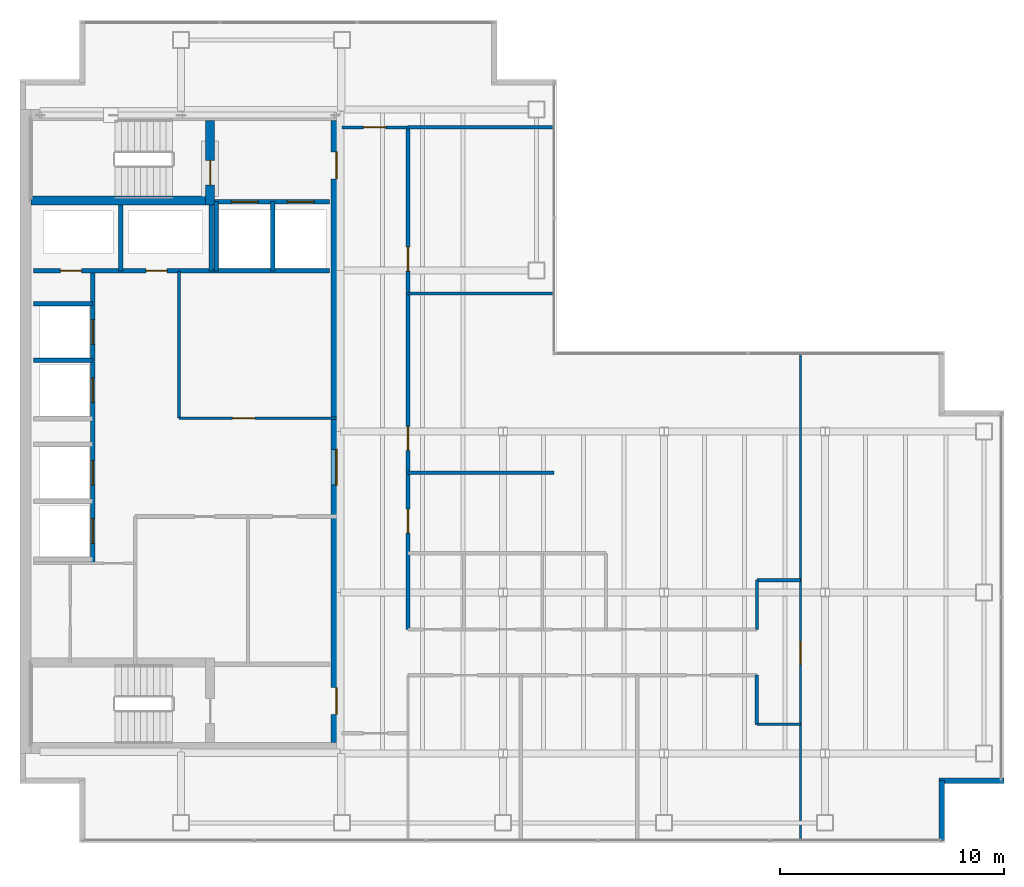
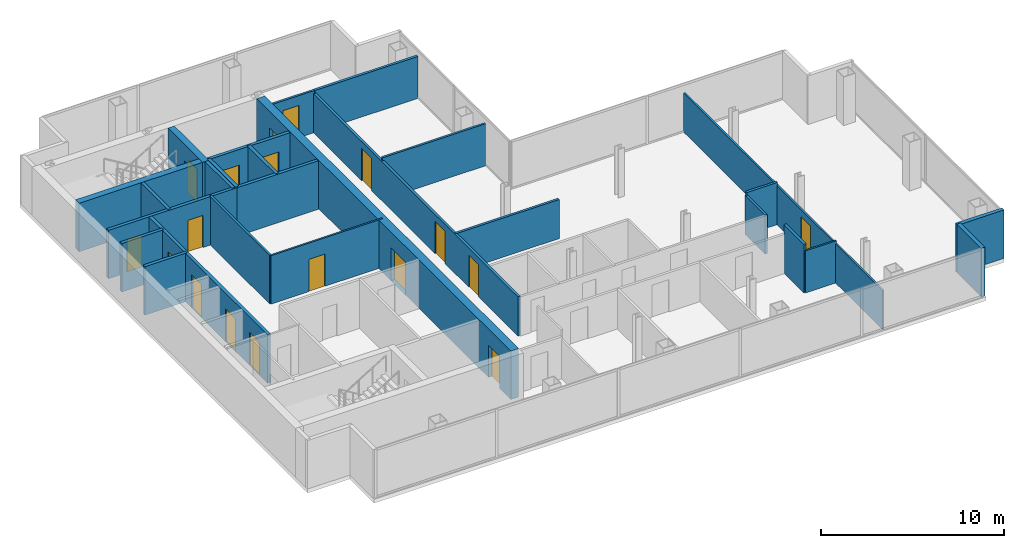
# One storey, part 21 of 23: 27 walls, 18 doors, 18 openings.
"""IFC4 building model written with IfcOpenShell, lengths in metres."""

from ifc_helpers import new_model, si_unit, direction, frame, frame_2d, origin, place, context, subcontext, project, spatial, rectangle, extrude, material, layer, layer_set, type_object, element, fill, save


model = new_model("IFC4")

# Units and contexts
model_context = context("Model", 3, precision=1e-05, world=origin(), true_north=direction((0.0, 1.0)))
body_context = subcontext(model_context, "Body", "Model", "MODEL_VIEW")
ifc_project = project(units=[si_unit("LENGTHUNIT", "METRE"), si_unit("AREAUNIT", "SQUARE_METRE"), si_unit("VOLUMEUNIT", "CUBIC_METRE"), si_unit("PLANEANGLEUNIT", "RADIAN"), si_unit("MASSUNIT", "GRAM", prefix="KILO")], contexts=[model_context])

# Site, building, storey
site_placement = place(None, origin())
site = spatial("IfcSite", under=ifc_project, at=site_placement, CompositionType="ELEMENT")
building_placement = place(site_placement, origin())
building = spatial("IfcBuilding", under=site, at=building_placement, Name="Cobrela Telecom Tower", CompositionType="ELEMENT")
storey_placement = place(building_placement, frame((0.0, 0.0, 222.25)))
storey = spatial("IfcBuildingStorey", under=building, at=storey_placement, Name="L57", CompositionType="ELEMENT", Elevation=222.25)

# Wall, openings, doors
ifc_material_1 = material(Name="Concrete C40/50", Category="concrete")
ifc_layer_1 = layer(ifc_material_1, 0.5)
ifc_layer_set_1 = layer_set([ifc_layer_1], Name="Concrete C40/50")
wall_type_1 = type_object("IfcWallType", Name="WALL-CORE-C40-500", PredefinedType="SHEAR", material=ifc_layer_set_1)
wall_1_placement = place(storey_placement, frame((14.14990234375, 35.5, 0.0), z_axis=(0.0, 0.0, 1.0), x_axis=(0.0, -1.0, 0.0)))
wall_1 = element("IfcWall", 1, at=wall_1_placement, inside=storey, type_object=wall_type_1, Name="L57 East Core Shear Wall", PredefinedType="SHEAR", context=body_context, shape_type="SweptSolid", body=[
    extrude(rectangle(XDim=27.800048828125, YDim=0.5, at=frame_2d((13.89990234375, 0.0))), origin(), (0.0, 0.0, 1.0), 3.239990234375),
])
opening_1_placement = place(wall_1_placement, frame((1.39990234375, 0.0, 0.0)))
opening_1 = element("IfcOpeningElement", 2, at=opening_1_placement, cuts=wall_1, Name="Opening DR-19", PredefinedType="OPENING", context=body_context, shape_type="SweptSolid", body=[
    extrude(rectangle(XDim=1.199951171875, YDim=2.14990234375, at=frame_2d((0.60009765625, 1.074951171875))), frame((0.0, 0.261962890625, 0.0), z_axis=(0.0, -1.0, 0.0), x_axis=(1.0, 0.0, 0.0)), (0.0, 0.0, 1.0), 0.52392578125),
])
opening_2_placement = place(wall_1_placement, frame((25.35009765625, 0.0, 0.0)))
opening_2 = element("IfcOpeningElement", 3, at=opening_2_placement, cuts=wall_1, Name="Opening DR-19", PredefinedType="OPENING", context=body_context, shape_type="SweptSolid", body=[
    extrude(rectangle(XDim=1.199951171875, YDim=2.14990234375, at=frame_2d((0.60009765625, 1.074951171875))), frame((0.0, 0.261962890625, 0.0), z_axis=(0.0, -1.0, 0.0), x_axis=(1.0, 0.0, 0.0)), (0.0, 0.0, 1.0), 0.52392578125),
])
opening_3_placement = place(wall_1_placement, frame((14.699951171875, 0.0, 0.0)))
opening_3 = element("IfcOpeningElement", 4, at=opening_3_placement, cuts=wall_1, Name="Opening DR-51", PredefinedType="OPENING", context=body_context, shape_type="SweptSolid", body=[
    extrude(rectangle(XDim=1.60009765625, YDim=2.199951171875, at=frame_2d((0.800048828125, 1.10009765625))), frame((0.0, 0.261962890625, 0.0), z_axis=(0.0, -1.0, 0.0), x_axis=(1.0, 0.0, 0.0)), (0.0, 0.0, 1.0), 0.52392578125),
])
ifc_material_2 = material(Name="Steel ASTM A36", Category="steel")
door_type_1 = type_object("IfcDoorType", Name="DOOR-FD60-1200", OperationType="SINGLE_SWING_LEFT", PredefinedType="DOOR", material=ifc_material_2)
door_1_placement = place(opening_1_placement, origin())
door_1 = element("IfcDoor", 5, at=door_1_placement, inside=storey, type_object=door_type_1, Name="L57 Door DR-19", OperationType="SINGLE_SWING_LEFT", OverallHeight=2.14990234375, OverallWidth=1.199951171875, PredefinedType="DOOR", context=body_context, shape_type="SweptSolid", body=[
    extrude(rectangle(XDim=1.199951171875, YDim=2.14990234375, at=frame_2d((0.60009765625, 1.074951171875))), frame((0.0, 0.02490234375, 0.0), z_axis=(0.0, -1.0, 0.0), x_axis=(1.0, 0.0, 0.0)), (0.0, 0.0, 1.0), 0.050048828125),
])
fill(opening_1, door_1)
door_2_placement = place(opening_2_placement, origin())
door_2 = element("IfcDoor", 6, at=door_2_placement, inside=storey, type_object=door_type_1, Name="L57 Door DR-19", OperationType="SINGLE_SWING_RIGHT", OverallHeight=2.14990234375, OverallWidth=1.199951171875, PredefinedType="DOOR", context=body_context, shape_type="SweptSolid", body=[
    extrude(rectangle(XDim=1.199951171875, YDim=2.14990234375, at=frame_2d((0.60009765625, 1.074951171875))), frame((0.0, 0.02490234375, 0.0), z_axis=(0.0, -1.0, 0.0), x_axis=(1.0, 0.0, 0.0)), (0.0, 0.0, 1.0), 0.050048828125),
])
fill(opening_2, door_2)
door_type_2 = type_object("IfcDoorType", Name="DOOR-FD60-1600", OperationType="SINGLE_SWING_LEFT", PredefinedType="DOOR", material=ifc_material_2)
door_3_placement = place(opening_3_placement, origin())
door_3 = element("IfcDoor", 7, at=door_3_placement, inside=storey, type_object=door_type_2, Name="L57 Door DR-51", OperationType="DOUBLE_DOOR_SINGLE_SWING", OverallHeight=2.199951171875, OverallWidth=1.60009765625, PredefinedType="DOOR", context=body_context, shape_type="SweptSolid", body=[
    extrude(rectangle(XDim=1.60009765625, YDim=2.199951171875, at=frame_2d((0.800048828125, 1.10009765625))), frame((0.0, 0.02490234375, 0.0), z_axis=(0.0, -1.0, 0.0), x_axis=(1.0, 0.0, 0.0)), (0.0, 0.0, 1.0), 0.050048828125),
])
fill(opening_3, door_3)

# Walls
ifc_layer_2 = layer(ifc_material_1, 0.239990234375)
ifc_layer_set_2 = layer_set([ifc_layer_2], Name="Concrete C40/50")
wall_type_2 = type_object("IfcWallType", Name="WALL-EXT-300", PredefinedType="STANDARD", material=ifc_layer_set_2)
wall_2_placement = place(storey_placement, frame((44.0, 5.989990234375, 0.0), z_axis=(0.0, 0.0, 1.0), x_axis=(-1.0, 0.0, 0.0)))
element("IfcWall", 8, at=wall_2_placement, inside=storey, type_object=wall_type_2, Name="L57 Insulated Facade Wall 15", PredefinedType="STANDARD", context=body_context, shape_type="SweptSolid", body=[
    extrude(rectangle(XDim=2.909912109375, YDim=0.239990234375, at=frame_2d((1.455078125, 0.0))), origin(), (0.0, 0.0, 1.0), 3.239990234375),
])
wall_3_placement = place(storey_placement, frame((41.2099609375, 5.989990234375, 0.0), z_axis=(0.0, 0.0, 1.0), x_axis=(0.0, -1.0, 0.0)))
element("IfcWall", 9, at=wall_3_placement, inside=storey, type_object=wall_type_2, Name="L57 Insulated Facade Wall 16", PredefinedType="STANDARD", context=body_context, shape_type="SweptSolid", body=[
    extrude(rectangle(XDim=2.669921875, YDim=0.239990234375, at=frame_2d((1.3349609375, 0.0))), origin(), (0.0, 0.0, 1.0), 3.239990234375),
])

# Wall, opening, door
ifc_material_3 = material(Name="Fire-Rated Gypsum Plasterboard")
ifc_layer_3 = layer(ifc_material_3, 0.110107421875)
ifc_layer_set_3 = layer_set([ifc_layer_3], Name="Fire-Rated Gypsum Plasterboard")
wall_type_3 = type_object("IfcWallType", Name="WALL-PART-110", PredefinedType="PARTITIONING", material=ifc_layer_set_3)
wall_4_placement = place(storey_placement, frame((7.10009765625, 22.199951171875, 0.0), z_axis=(0.0, 0.0, 1.0), x_axis=(1.0, 0.0, 0.0)))
wall_4 = element("IfcWall", 10, at=wall_4_placement, inside=storey, type_object=wall_type_3, Name="L57 Interior Partition CW-RECL-S", PredefinedType="PARTITIONING", context=body_context, shape_type="SweptSolid", body=[
    extrude(rectangle(XDim=7.0498046875, YDim=0.110107421875, at=frame_2d((3.52490234375, 0.0))), origin(), (0.0, 0.0, 1.0), 3.239990234375),
])
opening_4_placement = place(wall_4_placement, frame((2.39990234375, 0.0, 0.0)))
opening_4 = element("IfcOpeningElement", 11, at=opening_4_placement, cuts=wall_4, Name="Opening DR-31", PredefinedType="OPENING", context=body_context, shape_type="SweptSolid", body=[
    extrude(rectangle(XDim=1.0, YDim=2.14990234375, at=frame_2d((0.5, 1.074951171875))), frame((0.0, 0.06689453125, 0.0), z_axis=(0.0, -1.0, 0.0), x_axis=(1.0, 0.0, 0.0)), (0.0, 0.0, 1.0), 0.134033203125),
])
ifc_material_4 = material(Name="Solid Engineered Oak Timber", Category="wood")
door_type_3 = type_object("IfcDoorType", Name="DOOR-INT-1000", OperationType="SINGLE_SWING_LEFT", PredefinedType="DOOR", material=ifc_material_4)
door_4_placement = place(opening_4_placement, origin())
door_4 = element("IfcDoor", 12, at=door_4_placement, inside=storey, type_object=door_type_3, Name="L57 Door DR-31", OperationType="SINGLE_SWING_LEFT", OverallHeight=2.14990234375, OverallWidth=1.0, PredefinedType="DOOR", context=body_context, shape_type="SweptSolid", body=[
    extrude(rectangle(XDim=1.0, YDim=2.14990234375, at=frame_2d((0.5, 1.074951171875))), frame((0.0, 0.02490234375, 0.0), z_axis=(0.0, -1.0, 0.0), x_axis=(1.0, 0.0, 0.0)), (0.0, 0.0, 1.0), 0.050048828125),
])
fill(opening_4, door_4)

# Wall
wall_5_placement = place(storey_placement, frame((32.949951171875, 8.5, 0.0), z_axis=(0.0, 0.0, 1.0), x_axis=(1.0, 0.0, 0.0)))
element("IfcWall", 13, at=wall_5_placement, inside=storey, type_object=wall_type_3, Name="L57 Interior Partition W-CT-S", PredefinedType="PARTITIONING", context=body_context, shape_type="SweptSolid", body=[
    extrude(rectangle(XDim=1.949951171875, YDim=0.110107421875, at=frame_2d((0.97509765625, 0.0))), origin(), (0.0, 0.0, 1.0), 2.80810546875),
])

# Wall, opening, door
wall_6_placement = place(storey_placement, frame((34.89990234375, 3.320068359375, 0.0), z_axis=(0.0, 0.0, 1.0), x_axis=(0.0, 1.0, 0.0)))
wall_6 = element("IfcWall", 14, at=wall_6_placement, inside=storey, type_object=wall_type_3, Name="L57 Interior Partition W-C-END", PredefinedType="PARTITIONING", context=body_context, shape_type="SweptSolid", body=[
    extrude(rectangle(XDim=21.760009765625, YDim=0.110107421875, at=frame_2d((10.8798828125, 0.0))), origin(), (0.0, 0.0, 1.0), 2.613037109375),
])
opening_5_placement = place(wall_6_placement, frame((7.8798828125, 0.0, 0.0)))
opening_5 = element("IfcOpeningElement", 15, at=opening_5_placement, cuts=wall_6, Name="Opening DR-31", PredefinedType="OPENING", context=body_context, shape_type="SweptSolid", body=[
    extrude(rectangle(XDim=1.0, YDim=2.14990234375, at=frame_2d((0.5, 1.074951171875))), frame((0.0, 0.06689453125, 0.0), z_axis=(0.0, -1.0, 0.0), x_axis=(1.0, 0.0, 0.0)), (0.0, 0.0, 1.0), 0.134033203125),
])
door_5_placement = place(opening_5_placement, origin())
door_5 = element("IfcDoor", 16, at=door_5_placement, inside=storey, type_object=door_type_3, Name="L57 Door DR-31", OperationType="SINGLE_SWING_LEFT", OverallHeight=2.14990234375, OverallWidth=1.0, PredefinedType="DOOR", context=body_context, shape_type="SweptSolid", body=[
    extrude(rectangle(XDim=1.0, YDim=2.14990234375, at=frame_2d((0.5, 1.074951171875))), frame((0.0, 0.02490234375, 0.0), z_axis=(0.0, -1.0, 0.0), x_axis=(1.0, 0.0, 0.0)), (0.0, 0.0, 1.0), 0.050048828125),
])
fill(opening_5, door_5)

# Wall
ifc_layer_4 = layer(ifc_material_3, 0.135009765625)
ifc_layer_set_4 = layer_set([ifc_layer_4], Name="Fire-Rated Gypsum Plasterboard")
wall_type_4 = type_object("IfcWallType", Name="WALL-PART-135", PredefinedType="PARTITIONING", material=ifc_layer_set_4)
wall_7_placement = place(storey_placement, frame((7.10009765625, 22.199951171875, 0.0), z_axis=(0.0, 0.0, 1.0), x_axis=(0.0, 1.0, 0.0)))
element("IfcWall", 17, at=wall_7_placement, inside=storey, type_object=wall_type_4, Name="L57 Interior Partition CW-RECL-W", PredefinedType="PARTITIONING", context=body_context, shape_type="SweptSolid", body=[
    extrude(rectangle(XDim=6.580078125, YDim=0.135009765625, at=frame_2d((3.2900390625, 0.0))), origin(), (0.0, 0.0, 1.0), 3.239990234375),
])

# Wall, opening, door
wall_8_placement = place(storey_placement, frame((14.39990234375, 35.199951171875, 0.0), z_axis=(0.0, 0.0, 1.0), x_axis=(1.0, 0.0, 0.0)))
wall_8 = element("IfcWall", 18, at=wall_8_placement, inside=storey, type_object=wall_type_4, Name="L57 Interior Partition W-C-N0", PredefinedType="PARTITIONING", context=body_context, shape_type="SweptSolid", body=[
    extrude(rectangle(XDim=2.9501953125, YDim=0.135009765625, at=frame_2d((1.47509765625, 0.0))), origin(), (0.0, 0.0, 1.0), 2.80810546875),
])
opening_6_placement = place(wall_8_placement, frame((0.949951171875, 0.0, 0.0)))
opening_6 = element("IfcOpeningElement", 19, at=opening_6_placement, cuts=wall_8, Name="Opening DR-31", PredefinedType="OPENING", context=body_context, shape_type="SweptSolid", body=[
    extrude(rectangle(XDim=1.0, YDim=2.14990234375, at=frame_2d((0.5, 1.074951171875))), frame((0.0, 0.07958984375, 0.0), z_axis=(0.0, -1.0, 0.0), x_axis=(1.0, 0.0, 0.0)), (0.0, 0.0, 1.0), 0.158935546875),
])
door_6_placement = place(opening_6_placement, origin())
door_6 = element("IfcDoor", 20, at=door_6_placement, inside=storey, type_object=door_type_3, Name="L57 Door DR-31", OperationType="SINGLE_SWING_LEFT", OverallHeight=2.14990234375, OverallWidth=1.0, PredefinedType="DOOR", context=body_context, shape_type="SweptSolid", body=[
    extrude(rectangle(XDim=1.0, YDim=2.14990234375, at=frame_2d((0.5, 1.074951171875))), frame((0.0, 0.02490234375, 0.0), z_axis=(0.0, -1.0, 0.0), x_axis=(1.0, 0.0, 0.0)), (0.0, 0.0, 1.0), 0.050048828125),
])
fill(opening_6, door_6)

# Walls
wall_9_placement = place(storey_placement, frame((32.949951171875, 12.75, 0.0), z_axis=(0.0, 0.0, 1.0), x_axis=(0.0, 1.0, 0.0)))
element("IfcWall", 21, at=wall_9_placement, inside=storey, type_object=wall_type_4, Name="L57 Interior Partition W-CT-JW2", PredefinedType="PARTITIONING", context=body_context, shape_type="SweptSolid", body=[
    extrude(rectangle(XDim=2.199951171875, YDim=0.135009765625, at=frame_2d((1.10009765625, 0.0))), origin(), (0.0, 0.0, 1.0), 2.613037109375),
])
wall_10_placement = place(storey_placement, frame((17.35009765625, 27.77001953125, 0.0), z_axis=(0.0, 0.0, 1.0), x_axis=(1.0, 0.0, 0.0)))
element("IfcWall", 22, at=wall_10_placement, inside=storey, type_object=wall_type_4, Name="L57 Interior Partition W-NT-M", PredefinedType="PARTITIONING", context=body_context, shape_type="SweptSolid", body=[
    extrude(rectangle(XDim=6.52978515625, YDim=0.135009765625, at=frame_2d((3.264892578125, 0.0))), origin(), (0.0, 0.0, 1.0), 2.80810546875),
])
ifc_layer_5 = layer(ifc_material_3, 0.14990234375)
ifc_layer_set_5 = layer_set([ifc_layer_5], Name="Fire-Rated Gypsum Plasterboard")
wall_type_5 = type_object("IfcWallType", Name="WALL-PART-150", PredefinedType="PARTITIONING", material=ifc_layer_set_5)
wall_11_placement = place(storey_placement, frame((32.949951171875, 8.5, 0.0), z_axis=(0.0, 0.0, 1.0), x_axis=(0.0, 1.0, 0.0)))
element("IfcWall", 23, at=wall_11_placement, inside=storey, type_object=wall_type_5, Name="L57 Interior Partition W-CT-JW1", PredefinedType="PARTITIONING", context=body_context, shape_type="SweptSolid", body=[
    extrude(rectangle(XDim=2.199951171875, YDim=0.14990234375, at=frame_2d((1.10009765625, 0.0))), origin(), (0.0, 0.0, 1.0), 3.239990234375),
])
wall_12_placement = place(storey_placement, frame((17.35009765625, 19.75, 0.0), z_axis=(0.0, 0.0, 1.0), x_axis=(1.0, 0.0, 0.0)))
element("IfcWall", 24, at=wall_12_placement, inside=storey, type_object=wall_type_5, Name="L57 Interior Partition W-NPAN-T", PredefinedType="PARTITIONING", context=body_context, shape_type="SweptSolid", body=[
    extrude(rectangle(XDim=6.52978515625, YDim=0.14990234375, at=frame_2d((3.264892578125, 0.0))), origin(), (0.0, 0.0, 1.0), 2.613037109375),
])

# Wall, openings, doors
ifc_layer_6 = layer(ifc_material_3, 0.159912109375)
ifc_layer_set_6 = layer_set([ifc_layer_6], Name="Fire-Rated Gypsum Plasterboard")
wall_type_6 = type_object("IfcWallType", Name="WALL-PART-160", PredefinedType="PARTITIONING", material=ifc_layer_set_6)
wall_13_placement = place(storey_placement, frame((17.35009765625, 12.75, 0.0), z_axis=(0.0, 0.0, 1.0), x_axis=(0.0, 1.0, 0.0)))
wall_13 = element("IfcWall", 25, at=wall_13_placement, inside=storey, type_object=wall_type_6, Name="L57 Interior Partition W-C-E2", PredefinedType="PARTITIONING", context=body_context, shape_type="SweptSolid", body=[
    extrude(rectangle(XDim=22.449951171875, YDim=0.159912109375, at=frame_2d((11.22509765625, 0.0))), origin(), (0.0, 0.0, 1.0), 2.613037109375),
])
opening_7_placement = place(wall_13_placement, frame((4.300048828125, 0.0, 0.0)))
opening_7 = element("IfcOpeningElement", 26, at=opening_7_placement, cuts=wall_13, Name="Opening DR-63", PredefinedType="OPENING", context=body_context, shape_type="SweptSolid", body=[
    extrude(rectangle(XDim=1.080078125, YDim=2.14990234375, at=frame_2d((0.5400390625, 1.074951171875))), frame((0.0, 0.091796875, 0.0), z_axis=(0.0, -1.0, 0.0), x_axis=(1.0, 0.0, 0.0)), (0.0, 0.0, 1.0), 0.183837890625),
])
opening_8_placement = place(wall_13_placement, frame((8.0, 0.0, 0.0)))
opening_8 = element("IfcOpeningElement", 27, at=opening_8_placement, cuts=wall_13, Name="Opening DR-63", PredefinedType="OPENING", context=body_context, shape_type="SweptSolid", body=[
    extrude(rectangle(XDim=1.080078125, YDim=2.14990234375, at=frame_2d((0.5400390625, 1.074951171875))), frame((0.0, 0.091796875, 0.0), z_axis=(0.0, -1.0, 0.0), x_axis=(1.0, 0.0, 0.0)), (0.0, 0.0, 1.0), 0.183837890625),
])
opening_9_placement = place(wall_13_placement, frame((16.02001953125, 0.0, 0.0)))
opening_9 = element("IfcOpeningElement", 28, at=opening_9_placement, cuts=wall_13, Name="Opening DR-63", PredefinedType="OPENING", context=body_context, shape_type="SweptSolid", body=[
    extrude(rectangle(XDim=1.080078125, YDim=2.14990234375, at=frame_2d((0.5400390625, 1.074951171875))), frame((0.0, 0.091796875, 0.0), z_axis=(0.0, -1.0, 0.0), x_axis=(1.0, 0.0, 0.0)), (0.0, 0.0, 1.0), 0.183837890625),
])
door_type_4 = type_object("IfcDoorType", Name="DOOR-INT-1080", OperationType="SINGLE_SWING_LEFT", PredefinedType="DOOR", material=ifc_material_4)
door_7_placement = place(opening_7_placement, origin())
door_7 = element("IfcDoor", 29, at=door_7_placement, inside=storey, type_object=door_type_4, Name="L57 Door DR-63", OperationType="SINGLE_SWING_RIGHT", OverallHeight=2.14990234375, OverallWidth=1.080078125, PredefinedType="DOOR", context=body_context, shape_type="SweptSolid", body=[
    extrude(rectangle(XDim=1.080078125, YDim=2.14990234375, at=frame_2d((0.5400390625, 1.074951171875))), frame((0.0, 0.02490234375, 0.0), z_axis=(0.0, -1.0, 0.0), x_axis=(1.0, 0.0, 0.0)), (0.0, 0.0, 1.0), 0.050048828125),
])
fill(opening_7, door_7)
door_8_placement = place(opening_8_placement, origin())
door_8 = element("IfcDoor", 30, at=door_8_placement, inside=storey, type_object=door_type_4, Name="L57 Door DR-63", OperationType="SINGLE_SWING_LEFT", OverallHeight=2.14990234375, OverallWidth=1.080078125, PredefinedType="DOOR", context=body_context, shape_type="SweptSolid", body=[
    extrude(rectangle(XDim=1.080078125, YDim=2.14990234375, at=frame_2d((0.5400390625, 1.074951171875))), frame((0.0, 0.02490234375, 0.0), z_axis=(0.0, -1.0, 0.0), x_axis=(1.0, 0.0, 0.0)), (0.0, 0.0, 1.0), 0.050048828125),
])
fill(opening_8, door_8)
door_9_placement = place(opening_9_placement, origin())
door_9 = element("IfcDoor", 31, at=door_9_placement, inside=storey, type_object=door_type_4, Name="L57 Door DR-63", OperationType="SINGLE_SWING_RIGHT", OverallHeight=2.14990234375, OverallWidth=1.080078125, PredefinedType="DOOR", context=body_context, shape_type="SweptSolid", body=[
    extrude(rectangle(XDim=1.080078125, YDim=2.14990234375, at=frame_2d((0.5400390625, 1.074951171875))), frame((0.0, 0.02490234375, 0.0), z_axis=(0.0, -1.0, 0.0), x_axis=(1.0, 0.0, 0.0)), (0.0, 0.0, 1.0), 0.050048828125),
])
fill(opening_9, door_9)

# Walls
wall_14_placement = place(storey_placement, frame((32.949951171875, 14.949951171875, 0.0), z_axis=(0.0, 0.0, 1.0), x_axis=(1.0, 0.0, 0.0)))
element("IfcWall", 32, at=wall_14_placement, inside=storey, type_object=wall_type_6, Name="L57 Interior Partition W-CT-N", PredefinedType="PARTITIONING", context=body_context, shape_type="SweptSolid", body=[
    extrude(rectangle(XDim=1.949951171875, YDim=0.159912109375, at=frame_2d((0.97509765625, 0.0))), origin(), (0.0, 0.0, 1.0), 2.80810546875),
])
wall_15_placement = place(storey_placement, frame((17.35009765625, 35.199951171875, 0.0), z_axis=(0.0, 0.0, 1.0), x_axis=(1.0, 0.0, 0.0)))
element("IfcWall", 33, at=wall_15_placement, inside=storey, type_object=wall_type_6, Name="L57 Interior Partition W-NW-S", PredefinedType="PARTITIONING", context=body_context, shape_type="SweptSolid", body=[
    extrude(rectangle(XDim=6.52978515625, YDim=0.159912109375, at=frame_2d((3.264892578125, 0.0))), origin(), (0.0, 0.0, 1.0), 2.80810546875),
])

# Wall, openings, doors
ifc_layer_7 = layer(ifc_material_3, 0.199951171875)
ifc_layer_set_7 = layer_set([ifc_layer_7], Name="Fire-Rated Gypsum Plasterboard")
wall_type_7 = type_object("IfcWallType", Name="WALL-SHAFT-200", PredefinedType="PARTITIONING", material=ifc_layer_set_7)
wall_16_placement = place(storey_placement, frame((8.699951171875, 31.8798828125, 0.0), z_axis=(0.0, 0.0, 1.0), x_axis=(1.0, 0.0, 0.0)))
wall_16 = element("IfcWall", 34, at=wall_16_placement, inside=storey, type_object=wall_type_7, Name="L57 Shaft Enclosure CW-FFL-S", PredefinedType="PARTITIONING", context=body_context, shape_type="SweptSolid", body=[
    extrude(rectangle(XDim=5.150146484375, YDim=0.199951171875, at=frame_2d((2.5751953125, 0.0))), origin(), (0.0, 0.0, 1.0), 3.239990234375),
])
opening_10_placement = place(wall_16_placement, frame((0.75, 0.0, 0.0)))
opening_10 = element("IfcOpeningElement", 35, at=opening_10_placement, cuts=wall_16, Name="Opening LD-2", PredefinedType="OPENING", context=body_context, shape_type="SweptSolid", body=[
    extrude(rectangle(XDim=1.199951171875, YDim=2.199951171875, at=frame_2d((0.60009765625, 1.10009765625))), frame((0.0, 0.11181640625, 0.0), z_axis=(0.0, -1.0, 0.0), x_axis=(1.0, 0.0, 0.0)), (0.0, 0.0, 1.0), 0.223876953125),
])
opening_11_placement = place(wall_16_placement, frame((3.25, 0.0, 0.0)))
opening_11 = element("IfcOpeningElement", 36, at=opening_11_placement, cuts=wall_16, Name="Opening LD-2", PredefinedType="OPENING", context=body_context, shape_type="SweptSolid", body=[
    extrude(rectangle(XDim=1.199951171875, YDim=2.199951171875, at=frame_2d((0.60009765625, 1.10009765625))), frame((0.0, 0.11181640625, 0.0), z_axis=(0.0, -1.0, 0.0), x_axis=(1.0, 0.0, 0.0)), (0.0, 0.0, 1.0), 0.223876953125),
])
door_type_5 = type_object("IfcDoorType", Name="DOOR-LD-FFL", OperationType="SINGLE_SWING_LEFT", PredefinedType="DOOR", material=ifc_material_2)
door_10_placement = place(opening_10_placement, origin())
door_10 = element("IfcDoor", 37, at=door_10_placement, inside=storey, type_object=door_type_5, Name="L57 Lift Landing Door LD-2", OperationType="DOUBLE_DOOR_SLIDING", OverallHeight=2.199951171875, OverallWidth=1.199951171875, PredefinedType="DOOR", context=body_context, shape_type="SweptSolid", body=[
    extrude(rectangle(XDim=1.199951171875, YDim=2.199951171875, at=frame_2d((0.60009765625, 1.10009765625))), frame((0.0, 0.02490234375, 0.0), z_axis=(0.0, -1.0, 0.0), x_axis=(1.0, 0.0, 0.0)), (0.0, 0.0, 1.0), 0.050048828125),
])
fill(opening_10, door_10)
door_11_placement = place(opening_11_placement, origin())
door_11 = element("IfcDoor", 38, at=door_11_placement, inside=storey, type_object=door_type_5, Name="L57 Lift Landing Door LD-2", OperationType="DOUBLE_DOOR_SLIDING", OverallHeight=2.199951171875, OverallWidth=1.199951171875, PredefinedType="DOOR", context=body_context, shape_type="SweptSolid", body=[
    extrude(rectangle(XDim=1.199951171875, YDim=2.199951171875, at=frame_2d((0.60009765625, 1.10009765625))), frame((0.0, 0.02490234375, 0.0), z_axis=(0.0, -1.0, 0.0), x_axis=(1.0, 0.0, 0.0)), (0.0, 0.0, 1.0), 0.050048828125),
])
fill(opening_11, door_11)

# Walls
wall_17_placement = place(storey_placement, frame((8.699951171875, 28.780029296875, 0.0), z_axis=(0.0, 0.0, 1.0), x_axis=(1.0, 0.0, 0.0)))
element("IfcWall", 39, at=wall_17_placement, inside=storey, type_object=wall_type_7, Name="L57 Shaft Enclosure CW-FFL-S2", PredefinedType="PARTITIONING", context=body_context, shape_type="SweptSolid", body=[
    extrude(rectangle(XDim=5.150146484375, YDim=0.199951171875, at=frame_2d((2.5751953125, 0.0))), origin(), (0.0, 0.0, 1.0), 3.239990234375),
])
for number, where, z_axis, x_axis, name in (
    (40, (8.780029296875, 28.780029296875, 0.0), (0.0, 0.0, 1.0), (0.0, 1.0, 0.0), "L57 Shaft Enclosure CW-FFL-W"),
    (41, (11.300048828125, 28.780029296875, 0.0), (0.0, 0.0, 1.0), (0.0, 1.0, 0.0), "L57 Shaft Enclosure CW-FFL-M"),
):
    element("IfcWall", number, at=place(storey_placement, frame(where, z_axis=z_axis, x_axis=x_axis)), inside=storey, type_object=wall_type_7, Name=name, PredefinedType="PARTITIONING", context=body_context, shape_type="SweptSolid", body=[
        extrude(rectangle(XDim=3.099853515625, YDim=0.199951171875, at=frame_2d((1.5498046875, 0.0))), origin(), (0.0, 0.0, 1.0), 3.239990234375),
    ])

# Wall, openings, doors
wall_18_placement = place(storey_placement, frame((0.60009765625, 28.780029296875, 0.0), z_axis=(0.0, 0.0, 1.0), x_axis=(1.0, 0.0, 0.0)))
wall_18 = element("IfcWall", 42, at=wall_18_placement, inside=storey, type_object=wall_type_7, Name="L57 Shaft Enclosure CW-RIS-S", PredefinedType="PARTITIONING", context=body_context, shape_type="SweptSolid", body=[
    extrude(rectangle(XDim=8.179931640625, YDim=0.199951171875, at=frame_2d((4.08984375, 0.0))), origin(), (0.0, 0.0, 1.0), 3.239990234375),
])
opening_12_placement = place(wall_18_placement, frame((1.2099609375, 0.0, 0.0)))
opening_12 = element("IfcOpeningElement", 43, at=opening_12_placement, cuts=wall_18, Name="Opening DR-65", PredefinedType="OPENING", context=body_context, shape_type="SweptSolid", body=[
    extrude(rectangle(XDim=0.949951171875, YDim=2.14990234375, at=frame_2d((0.47509765625, 1.074951171875))), frame((0.0, 0.11181640625, 0.0), z_axis=(0.0, -1.0, 0.0), x_axis=(1.0, 0.0, 0.0)), (0.0, 0.0, 1.0), 0.223876953125),
])
opening_13_placement = place(wall_18_placement, frame((5.030029296875, 0.0, 0.0)))
opening_13 = element("IfcOpeningElement", 44, at=opening_13_placement, cuts=wall_18, Name="Opening DR-65", PredefinedType="OPENING", context=body_context, shape_type="SweptSolid", body=[
    extrude(rectangle(XDim=0.949951171875, YDim=2.14990234375, at=frame_2d((0.47509765625, 1.074951171875))), frame((0.0, 0.11181640625, 0.0), z_axis=(0.0, -1.0, 0.0), x_axis=(1.0, 0.0, 0.0)), (0.0, 0.0, 1.0), 0.223876953125),
])
door_type_6 = type_object("IfcDoorType", Name="DOOR-FD60-950", OperationType="SINGLE_SWING_LEFT", PredefinedType="DOOR", material=ifc_material_2)
door_12_placement = place(opening_12_placement, origin())
door_12 = element("IfcDoor", 45, at=door_12_placement, inside=storey, type_object=door_type_6, Name="L57 Door DR-65", OperationType="SINGLE_SWING_LEFT", OverallHeight=2.14990234375, OverallWidth=0.949951171875, PredefinedType="DOOR", context=body_context, shape_type="SweptSolid", body=[
    extrude(rectangle(XDim=0.949951171875, YDim=2.14990234375, at=frame_2d((0.47509765625, 1.074951171875))), frame((0.0, 0.02490234375, 0.0), z_axis=(0.0, -1.0, 0.0), x_axis=(1.0, 0.0, 0.0)), (0.0, 0.0, 1.0), 0.050048828125),
])
fill(opening_12, door_12)
door_13_placement = place(opening_13_placement, origin())
door_13 = element("IfcDoor", 46, at=door_13_placement, inside=storey, type_object=door_type_6, Name="L57 Door DR-65", OperationType="SINGLE_SWING_RIGHT", OverallHeight=2.14990234375, OverallWidth=0.949951171875, PredefinedType="DOOR", context=body_context, shape_type="SweptSolid", body=[
    extrude(rectangle(XDim=0.949951171875, YDim=2.14990234375, at=frame_2d((0.47509765625, 1.074951171875))), frame((0.0, 0.02490234375, 0.0), z_axis=(0.0, -1.0, 0.0), x_axis=(1.0, 0.0, 0.0)), (0.0, 0.0, 1.0), 0.050048828125),
])
fill(opening_13, door_13)

# Walls
for number, where, z_axis, x_axis, name in (
    (47, (4.5, 28.780029296875, 0.0), (0.0, 0.0, 1.0), (0.0, 1.0, 0.0), "L57 Shaft Enclosure CW-RIS-M"),
    (48, (8.550048828125, 28.780029296875, 0.0), (0.0, 0.0, 1.0), (0.0, 1.0, 0.0), "L57 Shaft Enclosure CW-RIS-E"),
):
    element("IfcWall", number, at=place(storey_placement, frame(where, z_axis=z_axis, x_axis=x_axis)), inside=storey, type_object=wall_type_7, Name=name, PredefinedType="PARTITIONING", context=body_context, shape_type="SweptSolid", body=[
        extrude(rectangle(XDim=2.93994140625, YDim=0.199951171875, at=frame_2d((1.469970703125, 0.0))), origin(), (0.0, 0.0, 1.0), 3.239990234375),
    ])

# Wall, openings, doors
wall_19_placement = place(storey_placement, frame((3.25, 15.699951171875, 0.0), z_axis=(0.0, 0.0, 1.0), x_axis=(0.0, 1.0, 0.0)))
wall_19 = element("IfcWall", 49, at=wall_19_placement, inside=storey, type_object=wall_type_7, Name="L57 Shaft Enclosure CW-PLH-E", PredefinedType="PARTITIONING", context=body_context, shape_type="SweptSolid", body=[
    extrude(rectangle(XDim=13.080078125, YDim=0.199951171875, at=frame_2d((6.5400390625, 0.0))), origin(), (0.0, 0.0, 1.0), 3.239990234375),
])
opening_14_placement = place(wall_19_placement, frame((0.89990234375, 0.0, 0.0)))
opening_14 = element("IfcOpeningElement", 50, at=opening_14_placement, cuts=wall_19, Name="Opening LD-1", PredefinedType="OPENING", context=body_context, shape_type="SweptSolid", body=[
    extrude(rectangle(XDim=1.10009765625, YDim=2.199951171875, at=frame_2d((0.550048828125, 1.10009765625))), frame((0.0, 0.11181640625, 0.0), z_axis=(0.0, -1.0, 0.0), x_axis=(1.0, 0.0, 0.0)), (0.0, 0.0, 1.0), 0.223876953125),
])
opening_15_placement = place(wall_19_placement, frame((3.5, 0.0, 0.0)))
opening_15 = element("IfcOpeningElement", 51, at=opening_15_placement, cuts=wall_19, Name="Opening LD-1", PredefinedType="OPENING", context=body_context, shape_type="SweptSolid", body=[
    extrude(rectangle(XDim=1.10009765625, YDim=2.199951171875, at=frame_2d((0.550048828125, 1.10009765625))), frame((0.0, 0.11181640625, 0.0), z_axis=(0.0, -1.0, 0.0), x_axis=(1.0, 0.0, 0.0)), (0.0, 0.0, 1.0), 0.223876953125),
])
opening_16_placement = place(wall_19_placement, frame((7.199951171875, 0.0, 0.0)))
opening_16 = element("IfcOpeningElement", 52, at=opening_16_placement, cuts=wall_19, Name="Opening LD-1", PredefinedType="OPENING", context=body_context, shape_type="SweptSolid", body=[
    extrude(rectangle(XDim=1.10009765625, YDim=2.199951171875, at=frame_2d((0.550048828125, 1.10009765625))), frame((0.0, 0.11181640625, 0.0), z_axis=(0.0, -1.0, 0.0), x_axis=(1.0, 0.0, 0.0)), (0.0, 0.0, 1.0), 0.223876953125),
])
opening_17_placement = place(wall_19_placement, frame((9.800048828125, 0.0, 0.0)))
opening_17 = element("IfcOpeningElement", 53, at=opening_17_placement, cuts=wall_19, Name="Opening LD-1", PredefinedType="OPENING", context=body_context, shape_type="SweptSolid", body=[
    extrude(rectangle(XDim=1.10009765625, YDim=2.199951171875, at=frame_2d((0.550048828125, 1.10009765625))), frame((0.0, 0.11181640625, 0.0), z_axis=(0.0, -1.0, 0.0), x_axis=(1.0, 0.0, 0.0)), (0.0, 0.0, 1.0), 0.223876953125),
])
door_type_7 = type_object("IfcDoorType", Name="DOOR-LD-PL", OperationType="SINGLE_SWING_LEFT", PredefinedType="DOOR", material=ifc_material_2)
door_14_placement = place(opening_14_placement, origin())
door_14 = element("IfcDoor", 54, at=door_14_placement, inside=storey, type_object=door_type_7, Name="L57 Lift Landing Door LD-1", OperationType="DOUBLE_DOOR_SLIDING", OverallHeight=2.199951171875, OverallWidth=1.10009765625, PredefinedType="DOOR", context=body_context, shape_type="SweptSolid", body=[
    extrude(rectangle(XDim=1.10009765625, YDim=2.199951171875, at=frame_2d((0.550048828125, 1.10009765625))), frame((0.0, 0.02490234375, 0.0), z_axis=(0.0, -1.0, 0.0), x_axis=(1.0, 0.0, 0.0)), (0.0, 0.0, 1.0), 0.050048828125),
])
fill(opening_14, door_14)
door_15_placement = place(opening_15_placement, origin())
door_15 = element("IfcDoor", 55, at=door_15_placement, inside=storey, type_object=door_type_7, Name="L57 Lift Landing Door LD-1", OperationType="DOUBLE_DOOR_SLIDING", OverallHeight=2.199951171875, OverallWidth=1.10009765625, PredefinedType="DOOR", context=body_context, shape_type="SweptSolid", body=[
    extrude(rectangle(XDim=1.10009765625, YDim=2.199951171875, at=frame_2d((0.550048828125, 1.10009765625))), frame((0.0, 0.02490234375, 0.0), z_axis=(0.0, -1.0, 0.0), x_axis=(1.0, 0.0, 0.0)), (0.0, 0.0, 1.0), 0.050048828125),
])
fill(opening_15, door_15)
door_16_placement = place(opening_16_placement, origin())
door_16 = element("IfcDoor", 56, at=door_16_placement, inside=storey, type_object=door_type_7, Name="L57 Lift Landing Door LD-1", OperationType="DOUBLE_DOOR_SLIDING", OverallHeight=2.199951171875, OverallWidth=1.10009765625, PredefinedType="DOOR", context=body_context, shape_type="SweptSolid", body=[
    extrude(rectangle(XDim=1.10009765625, YDim=2.199951171875, at=frame_2d((0.550048828125, 1.10009765625))), frame((0.0, 0.02490234375, 0.0), z_axis=(0.0, -1.0, 0.0), x_axis=(1.0, 0.0, 0.0)), (0.0, 0.0, 1.0), 0.050048828125),
])
fill(opening_16, door_16)
door_17_placement = place(opening_17_placement, origin())
door_17 = element("IfcDoor", 57, at=door_17_placement, inside=storey, type_object=door_type_7, Name="L57 Lift Landing Door LD-1", OperationType="DOUBLE_DOOR_SLIDING", OverallHeight=2.199951171875, OverallWidth=1.10009765625, PredefinedType="DOOR", context=body_context, shape_type="SweptSolid", body=[
    extrude(rectangle(XDim=1.10009765625, YDim=2.199951171875, at=frame_2d((0.550048828125, 1.10009765625))), frame((0.0, 0.02490234375, 0.0), z_axis=(0.0, -1.0, 0.0), x_axis=(1.0, 0.0, 0.0)), (0.0, 0.0, 1.0), 0.050048828125),
])
fill(opening_17, door_17)

# Walls
for number, where, z_axis, x_axis, name in (
    (58, (0.60009765625, 24.780029296875, 0.0), (0.0, 0.0, 1.0), (1.0, 0.0, 0.0), "L57 Shaft Enclosure CW-PLH-D12"),
    (59, (0.60009765625, 27.320068359375, 0.0), (0.0, 0.0, 1.0), (1.0, 0.0, 0.0), "L57 Shaft Enclosure CW-PLH-TOP"),
):
    element("IfcWall", number, at=place(storey_placement, frame(where, z_axis=z_axis, x_axis=x_axis)), inside=storey, type_object=wall_type_7, Name=name, PredefinedType="PARTITIONING", context=body_context, shape_type="SweptSolid", body=[
        extrude(rectangle(XDim=2.64990234375, YDim=0.199951171875, at=frame_2d((1.324951171875, 0.0))), origin(), (0.0, 0.0, 1.0), 3.239990234375),
    ])
ifc_layer_8 = layer(ifc_material_1, 0.39990234375)
ifc_layer_set_8 = layer_set([ifc_layer_8], Name="Concrete C40/50")
wall_type_8 = type_object("IfcWallType", Name="WALL-SHAFT-C40-400", PredefinedType="SHEAR", material=ifc_layer_set_8)
wall_20_placement = place(storey_placement, frame((0.5, 31.919921875, 0.0), z_axis=(0.0, 0.0, 1.0), x_axis=(1.0, 0.0, 0.0)))
element("IfcWall", 60, at=wall_20_placement, inside=storey, type_object=wall_type_8, Name="L57 North Stair Shear Wall", PredefinedType="SHEAR", context=body_context, shape_type="SweptSolid", body=[
    extrude(rectangle(XDim=7.800048828125, YDim=0.39990234375, at=frame_2d((3.89990234375, 0.0))), origin(), (0.0, 0.0, 1.0), 3.239990234375),
])

# Wall, opening, door
wall_21_placement = place(storey_placement, frame((8.5, 31.719970703125, 0.0), z_axis=(0.0, 0.0, 1.0), x_axis=(0.0, 1.0, 0.0)))
wall_21 = element("IfcWall", 61, at=wall_21_placement, inside=storey, type_object=wall_type_8, Name="L57 North Stair Lobby Shear Wall", PredefinedType="SHEAR", context=body_context, shape_type="SweptSolid", body=[
    extrude(rectangle(XDim=3.780029296875, YDim=0.39990234375, at=frame_2d((1.89013671875, 0.0))), origin(), (0.0, 0.0, 1.0), 3.239990234375),
])
opening_18_placement = place(wall_21_placement, frame((0.89990234375, 0.0, 0.0)))
opening_18 = element("IfcOpeningElement", 62, at=opening_18_placement, cuts=wall_21, Name="Opening DR-59", PredefinedType="OPENING", context=body_context, shape_type="SweptSolid", body=[
    extrude(rectangle(XDim=1.10009765625, YDim=2.14990234375, at=frame_2d((0.550048828125, 1.074951171875))), frame((0.0, 0.2119140625, 0.0), z_axis=(0.0, -1.0, 0.0), x_axis=(1.0, 0.0, 0.0)), (0.0, 0.0, 1.0), 0.423828125),
])
door_type_8 = type_object("IfcDoorType", Name="DOOR-FD60-1100", OperationType="SINGLE_SWING_LEFT", PredefinedType="DOOR", material=ifc_material_2)
door_18_placement = place(opening_18_placement, origin())
door_18 = element("IfcDoor", 63, at=door_18_placement, inside=storey, type_object=door_type_8, Name="L57 Door DR-59", OperationType="SINGLE_SWING_RIGHT", OverallHeight=2.14990234375, OverallWidth=1.10009765625, PredefinedType="DOOR", context=body_context, shape_type="SweptSolid", body=[
    extrude(rectangle(XDim=1.10009765625, YDim=2.14990234375, at=frame_2d((0.550048828125, 1.074951171875))), frame((0.0, 0.02490234375, 0.0), z_axis=(0.0, -1.0, 0.0), x_axis=(1.0, 0.0, 0.0)), (0.0, 0.0, 1.0), 0.050048828125),
])
fill(opening_18, door_18)

save(model, "model.ifc")
